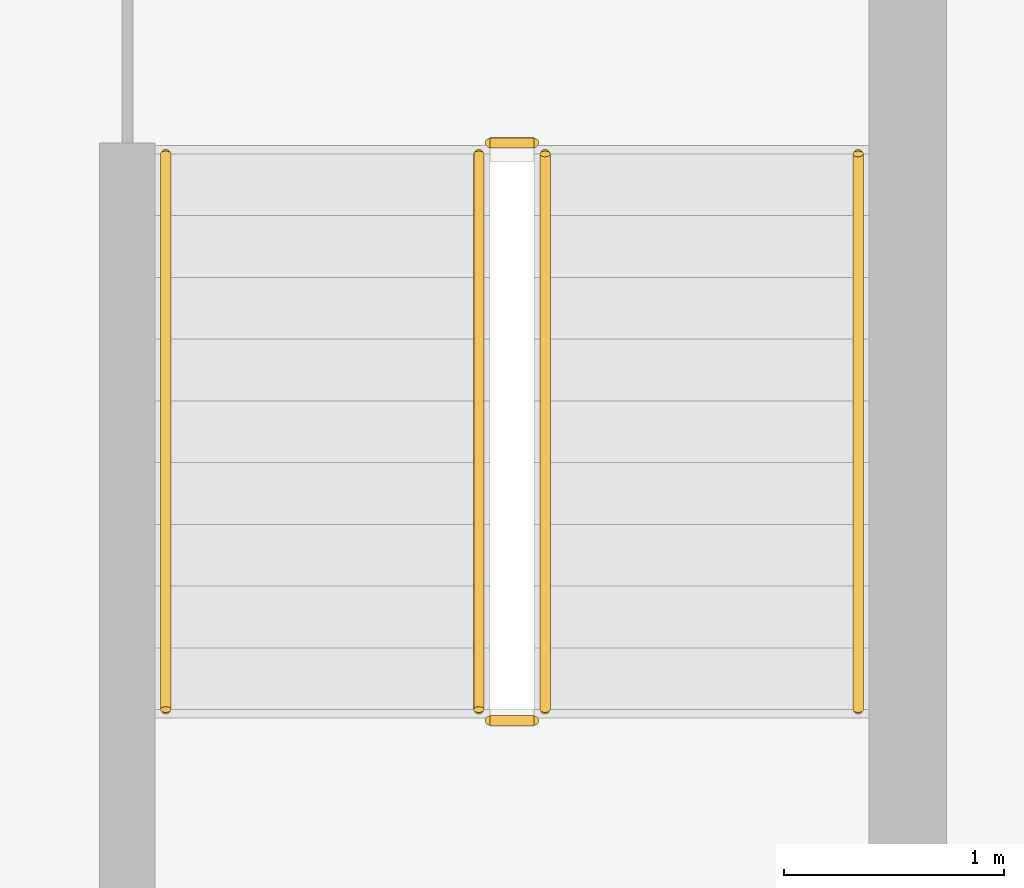
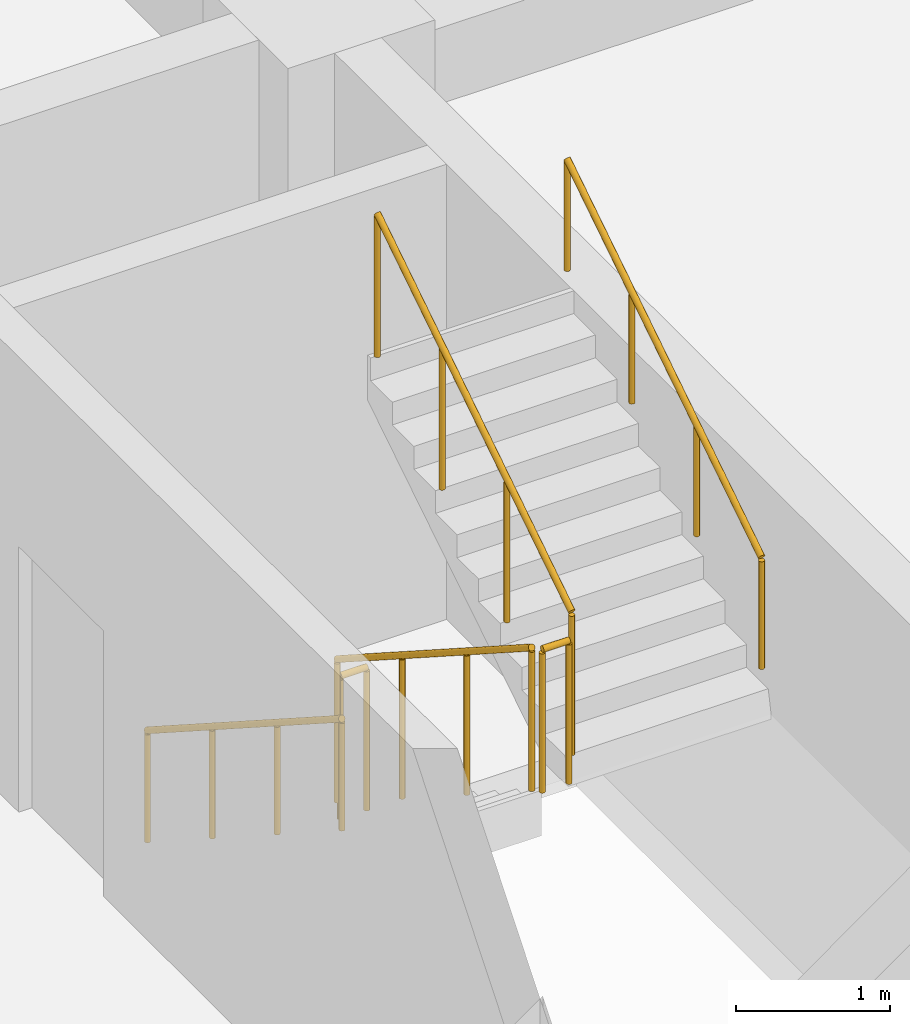
# One storey, part 21 of 23: 6 railings.
"""IFC4 building model written with IfcOpenShell, lengths in metres."""

from ifc_helpers import new_model, si_unit, direction, frame, origin, origin_2d, place, context, subcontext, project, spatial, circle, extrude, material, type_object, element, save


model = new_model("IFC4")

# Units and contexts
model_context = context("Model", 3, precision=1e-05, world=origin(), true_north=direction((0.0, 1.0)))
body_context = subcontext(model_context, "Body", "Model", "MODEL_VIEW")
ifc_project = project(units=[si_unit("LENGTHUNIT", "METRE"), si_unit("AREAUNIT", "SQUARE_METRE"), si_unit("VOLUMEUNIT", "CUBIC_METRE"), si_unit("PLANEANGLEUNIT", "RADIAN"), si_unit("MASSUNIT", "GRAM", prefix="KILO")], contexts=[model_context])

# Site, building, storey
site_placement = place(None, origin())
site = spatial("IfcSite", under=ifc_project, at=site_placement, CompositionType="ELEMENT")
building_placement = place(site_placement, origin())
building = spatial("IfcBuilding", under=site, at=building_placement, Name="Korimba Cascade Residences", CompositionType="ELEMENT")
storey_placement = place(building_placement, frame((0.0, 0.0, -3.60009765625)))
storey = spatial("IfcBuildingStorey", under=building, at=storey_placement, Name="B01", CompositionType="ELEMENT", Elevation=-3.60009765625)

# Railings
ifc_material_1 = material(Name="Painted Steel Stairwell Guardrail", Category="steel")
railing_type_1 = type_object("IfcRailingType", Name="RLG-ST-GD1150", PredefinedType="GUARDRAIL", material=ifc_material_1)
railing_1_placement = place(storey_placement, frame((110.1298828125, 63.550048828125, 0.18017578125)))
element("IfcRailing", 1, at=railing_1_placement, inside=storey, type_object=railing_type_1, Name="B01 ST-W2 stair guard 1", PredefinedType="GUARDRAIL", context=body_context, shape_type="SweptSolid", body=[
    extrude(circle(Radius=0.02392578125, at=origin_2d()), frame((0.0, 0.0, 1.1259765625), z_axis=(0.0, -0.841199657755, 0.540724639528), x_axis=(1.0, 0.0, 0.0)), (0.0, 0.0, 1.0), 2.995849609375),
    extrude(circle(Radius=0.02099609375, at=origin_2d()), origin(), (0.0, 0.0, 1.0), 1.101806640625),
    extrude(circle(Radius=0.02099609375, at=origin_2d()), frame((0.0, -0.840087890625, 0.5400390625)), (0.0, 0.0, 1.0), 1.101806640625),
    extrude(circle(Radius=0.02099609375, at=origin_2d()), frame((0.0, -1.679931640625, 1.079833984375)), (0.0, 0.0, 1.0), 1.101806640625),
    extrude(circle(Radius=0.02099609375, at=origin_2d()), frame((0.0, -2.52001953125, 1.619873046875)), (0.0, 0.0, 1.0), 1.101806640625),
])
railing_2_placement = place(storey_placement, frame((110.179931640625, 60.97998046875, 1.800048828125)))
element("IfcRailing", 2, at=railing_2_placement, inside=storey, type_object=railing_type_1, Name="B01 ST-W2 stair guard 2", PredefinedType="GUARDRAIL", context=body_context, shape_type="SweptSolid", body=[
    extrude(circle(Radius=0.02392578125, at=origin_2d()), frame((0.0, 0.0, 1.1259765625), z_axis=(1.0, 0.0, 0.0), x_axis=(0.0, 1.0, 0.0)), (0.0, 0.0, 1.0), 0.199951171875),
    extrude(circle(Radius=0.02099609375, at=origin_2d()), origin(), (0.0, 0.0, 1.0), 1.101806640625),
    extrude(circle(Radius=0.02099609375, at=origin_2d()), frame((0.199951171875, 0.0, 0.0)), (0.0, 0.0, 1.0), 1.101806640625),
])
railing_3_placement = place(storey_placement, frame((110.429931640625, 61.030029296875, 1.97998046875)))
element("IfcRailing", 3, at=railing_3_placement, inside=storey, type_object=railing_type_1, Name="B01 ST-W2 stair guard 3", PredefinedType="GUARDRAIL", context=body_context, shape_type="SweptSolid", body=[
    extrude(circle(Radius=0.02392578125, at=origin_2d()), frame((0.0, 0.0, 1.1259765625), z_axis=(0.0, 0.841162588446, 0.540782303519), x_axis=(-1.0, 0.0, 0.0)), (0.0, 0.0, 1.0), 2.995849609375),
    extrude(circle(Radius=0.02099609375, at=origin_2d()), origin(), (0.0, 0.0, 1.0), 1.101806640625),
    extrude(circle(Radius=0.02099609375, at=origin_2d()), frame((0.0, 0.840087890625, 0.5400390625)), (0.0, 0.0, 1.0), 1.101806640625),
    extrude(circle(Radius=0.02099609375, at=origin_2d()), frame((0.0, 1.679931640625, 1.080078125)), (0.0, 0.0, 1.0), 1.101806640625),
    extrude(circle(Radius=0.02099609375, at=origin_2d()), frame((0.0, 2.52001953125, 1.6201171875)), (0.0, 0.0, 1.0), 1.101806640625),
])
railing_4_placement = place(storey_placement, frame((110.179931640625, 63.60009765625, 0.0)))
element("IfcRailing", 4, at=railing_4_placement, inside=storey, type_object=railing_type_1, Name="B01 ST-W2 stair guard 4", PredefinedType="GUARDRAIL", context=body_context, shape_type="SweptSolid", body=[
    extrude(circle(Radius=0.02392578125, at=origin_2d()), frame((0.0, 0.0, 1.1259765625), z_axis=(1.0, 0.0, 0.0), x_axis=(0.0, 1.0, 0.0)), (0.0, 0.0, 1.0), 0.199951171875),
    extrude(circle(Radius=0.02099609375, at=origin_2d()), origin(), (0.0, 0.0, 1.0), 1.101806640625),
    extrude(circle(Radius=0.02099609375, at=origin_2d()), frame((0.199951171875, 0.0, 0.0)), (0.0, 0.0, 1.0), 1.101806640625),
])
ifc_material_2 = material(Name="Brushed Stainless Steel Handrail", Category="steel")
railing_type_2 = type_object("IfcRailingType", Name="RLG-ST-HR900", PredefinedType="HANDRAIL", material=ifc_material_2)
railing_5_placement = place(storey_placement, frame((108.7099609375, 63.550048828125, 0.364013671875)))
element("IfcRailing", 5, at=railing_5_placement, inside=storey, type_object=railing_type_2, Name="B01 ST-W2 stair handrail 1", PredefinedType="HANDRAIL", context=body_context, shape_type="SweptSolid", body=[
    extrude(circle(Radius=0.02392578125, at=origin_2d()), frame((0.0, 0.0, 0.8759765625), z_axis=(0.0, -0.841199657755, 0.540724639528), x_axis=(1.0, 0.0, 0.0)), (0.0, 0.0, 1.0), 2.995849609375),
    extrude(circle(Radius=0.02099609375, at=origin_2d()), origin(), (0.0, 0.0, 1.0), 0.851806640625),
    extrude(circle(Radius=0.02099609375, at=origin_2d()), frame((0.0, -0.840087890625, 0.5400390625)), (0.0, 0.0, 1.0), 0.851806640625),
    extrude(circle(Radius=0.02099609375, at=origin_2d()), frame((0.0, -1.679931640625, 1.079833984375)), (0.0, 0.0, 1.0), 0.851806640625),
    extrude(circle(Radius=0.02099609375, at=origin_2d()), frame((0.0, -2.52001953125, 1.619873046875)), (0.0, 0.0, 1.0), 0.851806640625),
])
railing_6_placement = place(storey_placement, frame((111.85009765625, 61.030029296875, 2.163818359375)))
element("IfcRailing", 6, at=railing_6_placement, inside=storey, type_object=railing_type_2, Name="B01 ST-W2 stair handrail 2", PredefinedType="HANDRAIL", context=body_context, shape_type="SweptSolid", body=[
    extrude(circle(Radius=0.02392578125, at=origin_2d()), frame((0.0, 0.0, 0.8759765625), z_axis=(0.0, 0.841162588446, 0.540782303519), x_axis=(-1.0, 0.0, 0.0)), (0.0, 0.0, 1.0), 2.995849609375),
    extrude(circle(Radius=0.02099609375, at=origin_2d()), origin(), (0.0, 0.0, 1.0), 0.851806640625),
    extrude(circle(Radius=0.02099609375, at=origin_2d()), frame((0.0, 0.840087890625, 0.5400390625)), (0.0, 0.0, 1.0), 0.851806640625),
    extrude(circle(Radius=0.02099609375, at=origin_2d()), frame((0.0, 1.679931640625, 1.080078125)), (0.0, 0.0, 1.0), 0.851806640625),
    extrude(circle(Radius=0.02099609375, at=origin_2d()), frame((0.0, 2.52001953125, 1.6201171875)), (0.0, 0.0, 1.0), 0.851806640625),
])

save(model, "model.ifc")
